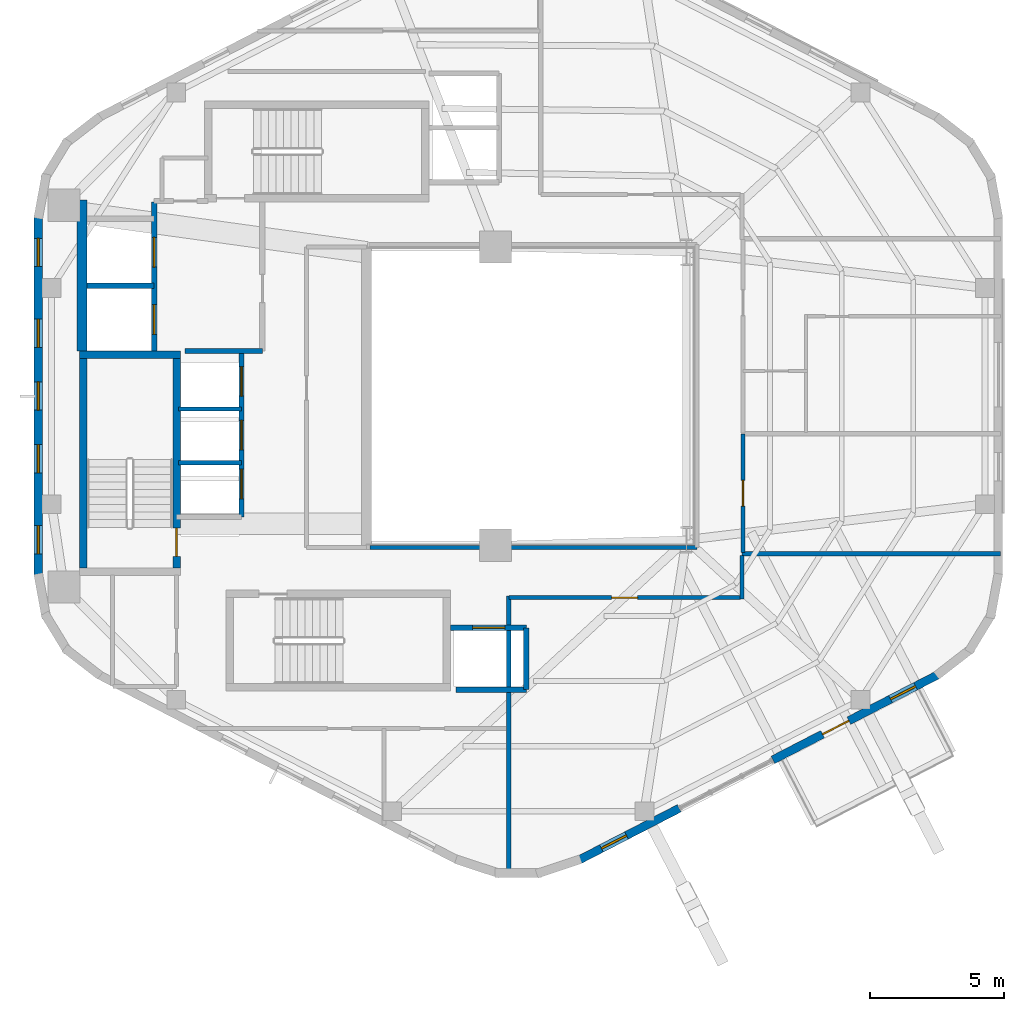
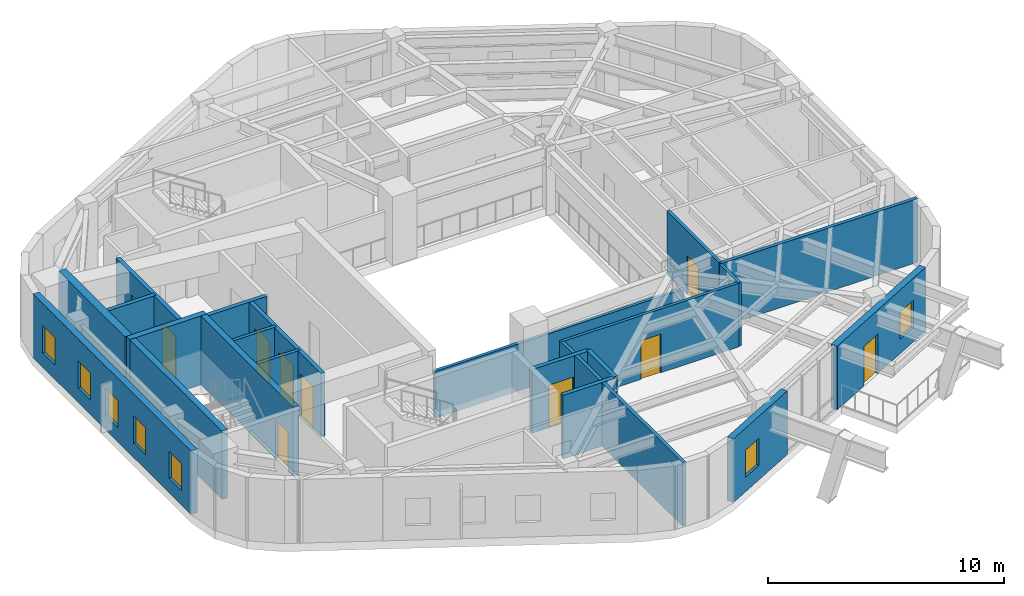
# One storey, part 5 of 9: 22 walls, 10 doors, 7 windows, 17 openings.
"""IFC4 building model written with IfcOpenShell, lengths in metres."""

from ifc_helpers import new_model, si_unit, direction, frame, frame_2d, origin, place, context, subcontext, project, spatial, rectangle, extrude, material, layer, layer_set, type_object, element, fill, save


model = new_model("IFC4")

# Units and contexts
model_context = context("Model", 3, precision=1e-05, world=origin(), true_north=direction((0.0, 1.0)))
body_context = subcontext(model_context, "Body", "Model", "MODEL_VIEW")
ifc_project = project(units=[si_unit("LENGTHUNIT", "METRE"), si_unit("AREAUNIT", "SQUARE_METRE"), si_unit("VOLUMEUNIT", "CUBIC_METRE"), si_unit("PLANEANGLEUNIT", "RADIAN"), si_unit("MASSUNIT", "GRAM", prefix="KILO"), si_unit("THERMODYNAMICTEMPERATUREUNIT", "KELVIN"), si_unit("POWERUNIT", "WATT")], contexts=[model_context])

# Site, building, storey
site_placement = place(None, origin())
site = spatial("IfcSite", under=ifc_project, at=site_placement, CompositionType="ELEMENT")
building_placement = place(site_placement, origin())
building = spatial("IfcBuilding", under=site, at=building_placement, Name="Skarre Station Tower", CompositionType="ELEMENT")
storey_placement = place(building_placement, frame((0.0, 0.0, 220.60009765625)))
storey = spatial("IfcBuildingStorey", under=building, at=storey_placement, Name="L60", CompositionType="ELEMENT", Elevation=220.60009765625)

# Wall
ifc_material_1 = material(Name="Acoustic Steel-Stud Gypsum Partition", Category="steel")
ifc_layer_1 = layer(ifc_material_1, 0.14990234375, Name="Acoustic Steel-Stud Gypsum Partition")
ifc_layer_set_1 = layer_set([ifc_layer_1], Name="Acoustic Steel-Stud Gypsum Partition")
wall_type_1 = type_object("IfcWallType", Name="Fire-Rated Corridor Acoustic Partition 150", PredefinedType="PARTITIONING", material=ifc_layer_set_1)
wall_1_placement = place(storey_placement, frame((27.675048828125, 18.360107421875, 0.0), z_axis=(0.0, 0.0, 1.0), x_axis=(1.0, 0.0, 0.0)))
element("IfcWall", 1, at=wall_1_placement, inside=storey, type_object=wall_type_1, Name="L60 Interior Partition WL-PT-L60-ATRW-S", PredefinedType="PARTITIONING", context=body_context, shape_type="SweptSolid", body=[
    extrude(rectangle(XDim=12.1650390625, YDim=0.14990234375, at=frame_2d((6.08251953125, 0.0))), origin(), (0.0, 0.0, 1.0), 2.430908203125),
])

# Wall, opening, door
wall_2_placement = place(storey_placement, frame((41.56005859375, 18.179931640625, 0.0), z_axis=(0.0, 0.0, 1.0), x_axis=(0.0, 1.0, 0.0)))
wall_2 = element("IfcWall", 2, at=wall_2_placement, inside=storey, type_object=wall_type_1, Name="L60 Interior Partition WL-PT-L60-EW1-CW", PredefinedType="PARTITIONING", context=body_context, shape_type="SweptSolid", body=[
    extrude(rectangle(XDim=4.405029296875, YDim=0.14990234375, at=frame_2d((2.20263671875, 0.0))), origin(), (0.0, 0.0, 1.0), 3.289794921875),
])
opening_1_placement = place(wall_2_placement, frame((1.722900390625, 0.0, 0.0)))
opening_1 = element("IfcOpeningElement", 3, at=opening_1_placement, cuts=wall_2, Name="Opening DR-FD60", PredefinedType="OPENING", context=body_context, shape_type="SweptSolid", body=[
    extrude(rectangle(XDim=0.9599609375, YDim=2.0, at=frame_2d((0.47998046875, 1.0))), frame((0.0, 0.0849609375, 0.0), z_axis=(0.0, -1.0, 0.0), x_axis=(1.0, 0.0, 0.0)), (0.0, 0.0, 1.0), 0.169921875),
])
ifc_material_2 = material(Name="Nordic White-Oak Veneer Solid-Core Fire Leaf", Category="wood")
door_type_1 = type_object("IfcDoorType", Name="Corridor Suite Entry Fire Door FD60 960x2150", OperationType="SINGLE_SWING_LEFT", PredefinedType="DOOR", material=ifc_material_2)
door_1_placement = place(opening_1_placement, origin())
door_1 = element("IfcDoor", 4, at=door_1_placement, inside=storey, type_object=door_type_1, Name="L60 EW1 Entry Door", OperationType="SINGLE_SWING_LEFT", OverallHeight=2.0, OverallWidth=0.9599609375, PredefinedType="DOOR", context=body_context, shape_type="SweptSolid", body=[
    extrude(rectangle(XDim=0.9599609375, YDim=2.0, at=frame_2d((0.47998046875, 1.0))), frame((0.0, 0.02490234375, 0.0), z_axis=(0.0, -1.0, 0.0), x_axis=(1.0, 0.0, 0.0)), (0.0, 0.0, 1.0), 0.050048828125),
])
fill(opening_1, door_1)

# Wall
wall_3_placement = place(storey_placement, frame((41.52001953125, 16.4599609375, 0.0), z_axis=(0.0, 0.0, 1.0), x_axis=(0.0, 1.0, 0.0)))
element("IfcWall", 5, at=wall_3_placement, inside=storey, type_object=wall_type_1, Name="L60 Interior Partition WL-PT-L60-CORR-SER", PredefinedType="PARTITIONING", context=body_context, shape_type="SweptSolid", body=[
    extrude(rectangle(XDim=1.60205078125, YDim=0.14990234375, at=frame_2d((0.801025390625, 0.0))), origin(), (0.0, 0.0, 1.0), 3.289794921875),
])

# Wall, opening, door
wall_4_placement = place(storey_placement, frame((32.85009765625, 16.5, 0.0), z_axis=(0.0, 0.0, 1.0), x_axis=(1.0, 0.0, 0.0)))
wall_4 = element("IfcWall", 6, at=wall_4_placement, inside=storey, type_object=wall_type_1, Name="L60 Interior Partition WL-PT-L60-SW1-CW", PredefinedType="PARTITIONING", context=body_context, shape_type="SweptSolid", body=[
    extrude(rectangle(XDim=8.60986328125, YDim=0.14990234375, at=frame_2d((4.304931640625, 0.0))), origin(), (0.0, 0.0, 1.0), 3.289794921875),
])
opening_2_placement = place(wall_4_placement, frame((3.824951171875, 0.0, 0.0)))
opening_2 = element("IfcOpeningElement", 7, at=opening_2_placement, cuts=wall_4, Name="Opening DR-FD60", PredefinedType="OPENING", context=body_context, shape_type="SweptSolid", body=[
    extrude(rectangle(XDim=0.9599609375, YDim=2.0, at=frame_2d((0.47998046875, 1.0))), frame((0.0, 0.0849609375, 0.0), z_axis=(0.0, -1.0, 0.0), x_axis=(1.0, 0.0, 0.0)), (0.0, 0.0, 1.0), 0.169921875),
])
door_2_placement = place(opening_2_placement, origin())
door_2 = element("IfcDoor", 8, at=door_2_placement, inside=storey, type_object=door_type_1, Name="L60 SW1 Entry Door", OperationType="SINGLE_SWING_LEFT", OverallHeight=2.0, OverallWidth=0.9599609375, PredefinedType="DOOR", context=body_context, shape_type="SweptSolid", body=[
    extrude(rectangle(XDim=0.9599609375, YDim=2.0, at=frame_2d((0.47998046875, 1.0))), frame((0.0, 0.02490234375, 0.0), z_axis=(0.0, -1.0, 0.0), x_axis=(1.0, 0.0, 0.0)), (0.0, 0.0, 1.0), 0.050048828125),
])
fill(opening_2, door_2)

# Wall, openings, windows
ifc_material_3 = material(Name="Precast concrete C45/55", Category="concrete")
ifc_layer_2 = layer(ifc_material_3, 0.31005859375, Name="Precast concrete C45/55")
ifc_layer_set_2 = layer_set([ifc_layer_2], Name="Precast concrete C45/55")
wall_type_2 = type_object("IfcWallType", Name="Nordic Upper-Zone Precast Facet Wall 310", PredefinedType="STANDARD", material=ifc_layer_set_2)
wall_5_placement = place(storey_placement, frame((15.342041015625, 17.298095703125, 0.0), z_axis=(0.0, 0.0, 1.0), x_axis=(0.0, 1.0, 0.0)))
wall_5 = element("IfcWall", 9, at=wall_5_placement, inside=storey, type_object=wall_type_2, Name="L60 Facet 2 Nordic Precast Masonry Wall", PredefinedType="STANDARD", context=body_context, shape_type="SweptSolid", body=[
    extrude(rectangle(XDim=13.40380859375, YDim=0.31005859375, at=frame_2d((6.701904296875, 0.0))), origin(), (0.0, 0.0, 1.0), 3.289794921875),
])
opening_3_placement = place(wall_5_placement, frame((0.8310546875, 0.0, 0.75)))
opening_3 = element("IfcOpeningElement", 10, at=opening_3_placement, cuts=wall_5, Name="Opening WN-SLT", PredefinedType="OPENING", context=body_context, shape_type="SweptSolid", body=[
    extrude(rectangle(XDim=1.050048828125, YDim=1.39990234375, at=frame_2d((0.52490234375, 0.699951171875))), frame((0.0, 0.1650390625, 0.0), z_axis=(0.0, -1.0, 0.0), x_axis=(1.0, 0.0, 0.0)), (0.0, 0.0, 1.0), 0.330078125),
])
opening_4_placement = place(wall_5_placement, frame((3.843017578125, 0.0, 0.75)))
opening_4 = element("IfcOpeningElement", 11, at=opening_4_placement, cuts=wall_5, Name="Opening WN-SLT", PredefinedType="OPENING", context=body_context, shape_type="SweptSolid", body=[
    extrude(rectangle(XDim=1.050048828125, YDim=1.39990234375, at=frame_2d((0.52490234375, 0.699951171875))), frame((0.0, 0.1650390625, 0.0), z_axis=(0.0, -1.0, 0.0), x_axis=(1.0, 0.0, 0.0)), (0.0, 0.0, 1.0), 0.330078125),
])
opening_5_placement = place(wall_5_placement, frame((6.177001953125, 0.0, 0.75)))
opening_5 = element("IfcOpeningElement", 12, at=opening_5_placement, cuts=wall_5, Name="Opening WN-SLT", PredefinedType="OPENING", context=body_context, shape_type="SweptSolid", body=[
    extrude(rectangle(XDim=1.050048828125, YDim=1.39990234375, at=frame_2d((0.52490234375, 0.699951171875))), frame((0.0, 0.1650390625, 0.0), z_axis=(0.0, -1.0, 0.0), x_axis=(1.0, 0.0, 0.0)), (0.0, 0.0, 1.0), 0.330078125),
])
opening_6_placement = place(wall_5_placement, frame((8.510986328125, 0.0, 0.75)))
opening_6 = element("IfcOpeningElement", 13, at=opening_6_placement, cuts=wall_5, Name="Opening WN-SLT", PredefinedType="OPENING", context=body_context, shape_type="SweptSolid", body=[
    extrude(rectangle(XDim=1.050048828125, YDim=1.39990234375, at=frame_2d((0.52490234375, 0.699951171875))), frame((0.0, 0.1650390625, 0.0), z_axis=(0.0, -1.0, 0.0), x_axis=(1.0, 0.0, 0.0)), (0.0, 0.0, 1.0), 0.330078125),
])
opening_7_placement = place(wall_5_placement, frame((11.52392578125, 0.0, 0.75)))
opening_7 = element("IfcOpeningElement", 14, at=opening_7_placement, cuts=wall_5, Name="Opening WN-SLT", PredefinedType="OPENING", context=body_context, shape_type="SweptSolid", body=[
    extrude(rectangle(XDim=1.050048828125, YDim=1.39990234375, at=frame_2d((0.52490234375, 0.699951171875))), frame((0.0, 0.1650390625, 0.0), z_axis=(0.0, -1.0, 0.0), x_axis=(1.0, 0.0, 0.0)), (0.0, 0.0, 1.0), 0.330078125),
])
ifc_material_4 = material(Name="Low-Iron Triple Glazing with Bronze Anodized Frame", Category="glass")
window_type = type_object("IfcWindowType", Name="Nordic Corner Slot Window 1050x1400", PartitioningType="SINGLE_PANEL", PredefinedType="WINDOW", material=ifc_material_4)
window_1_placement = place(opening_3_placement, origin())
window_1 = element("IfcWindow", 15, at=window_1_placement, inside=storey, type_object=window_type, Name="L60 Facade Window WL-FAC-L60-F2-1", OverallHeight=1.39990234375, OverallWidth=1.050048828125, PartitioningType="SINGLE_PANEL", PredefinedType="WINDOW", context=body_context, shape_type="SweptSolid", body=[
    extrude(rectangle(XDim=1.050048828125, YDim=1.39990234375, at=frame_2d((0.52490234375, 0.699951171875))), frame((0.0, 0.030029296875, 0.0), z_axis=(0.0, -1.0, 0.0), x_axis=(1.0, 0.0, 0.0)), (0.0, 0.0, 1.0), 0.06005859375),
])
fill(opening_3, window_1)
window_2_placement = place(opening_4_placement, origin())
window_2 = element("IfcWindow", 16, at=window_2_placement, inside=storey, type_object=window_type, Name="L60 Facade Window WL-FAC-L60-F2-2", OverallHeight=1.39990234375, OverallWidth=1.050048828125, PartitioningType="SINGLE_PANEL", PredefinedType="WINDOW", context=body_context, shape_type="SweptSolid", body=[
    extrude(rectangle(XDim=1.050048828125, YDim=1.39990234375, at=frame_2d((0.52490234375, 0.699951171875))), frame((0.0, 0.030029296875, 0.0), z_axis=(0.0, -1.0, 0.0), x_axis=(1.0, 0.0, 0.0)), (0.0, 0.0, 1.0), 0.06005859375),
])
fill(opening_4, window_2)
window_3_placement = place(opening_5_placement, origin())
window_3 = element("IfcWindow", 17, at=window_3_placement, inside=storey, type_object=window_type, Name="L60 Facade Window WL-FAC-L60-F2-3", OverallHeight=1.39990234375, OverallWidth=1.050048828125, PartitioningType="SINGLE_PANEL", PredefinedType="WINDOW", context=body_context, shape_type="SweptSolid", body=[
    extrude(rectangle(XDim=1.050048828125, YDim=1.39990234375, at=frame_2d((0.52490234375, 0.699951171875))), frame((0.0, 0.030029296875, 0.0), z_axis=(0.0, -1.0, 0.0), x_axis=(1.0, 0.0, 0.0)), (0.0, 0.0, 1.0), 0.06005859375),
])
fill(opening_5, window_3)
window_4_placement = place(opening_6_placement, origin())
window_4 = element("IfcWindow", 18, at=window_4_placement, inside=storey, type_object=window_type, Name="L60 Facade Window WL-FAC-L60-F2-4", OverallHeight=1.39990234375, OverallWidth=1.050048828125, PartitioningType="SINGLE_PANEL", PredefinedType="WINDOW", context=body_context, shape_type="SweptSolid", body=[
    extrude(rectangle(XDim=1.050048828125, YDim=1.39990234375, at=frame_2d((0.52490234375, 0.699951171875))), frame((0.0, 0.030029296875, 0.0), z_axis=(0.0, -1.0, 0.0), x_axis=(1.0, 0.0, 0.0)), (0.0, 0.0, 1.0), 0.06005859375),
])
fill(opening_6, window_4)
window_5_placement = place(opening_7_placement, origin())
window_5 = element("IfcWindow", 19, at=window_5_placement, inside=storey, type_object=window_type, Name="L60 Facade Window WL-FAC-L60-F2-5", OverallHeight=1.39990234375, OverallWidth=1.050048828125, PartitioningType="SINGLE_PANEL", PredefinedType="WINDOW", context=body_context, shape_type="SweptSolid", body=[
    extrude(rectangle(XDim=1.050048828125, YDim=1.39990234375, at=frame_2d((0.52490234375, 0.699951171875))), frame((0.0, 0.030029296875, 0.0), z_axis=(0.0, -1.0, 0.0), x_axis=(1.0, 0.0, 0.0)), (0.0, 0.0, 1.0), 0.06005859375),
])
fill(opening_7, window_5)

# Wall, openings, window, door
wall_6_placement = place(storey_placement, frame((48.833984375, 13.64599609375, 0.0), z_axis=(0.0, 0.0, 1.0), x_axis=(-0.888622971019, -0.458638436437, 0.0)))
wall_6 = element("IfcWall", 20, at=wall_6_placement, inside=storey, type_object=wall_type_2, Name="L60 Facet 4 Pier A", PredefinedType="STANDARD", context=body_context, shape_type="SweptSolid", body=[
    extrude(rectangle(XDim=6.935546875, YDim=0.31005859375, at=frame_2d((3.4677734375, 0.0))), origin(), (0.0, 0.0, 1.0), 3.289794921875),
])
opening_8_placement = place(wall_6_placement, frame((3.756103515625, 0.0, 0.0)))
opening_8 = element("IfcOpeningElement", 21, at=opening_8_placement, cuts=wall_6, Name="Opening DR-BAL110", PredefinedType="OPENING", context=body_context, shape_type="SweptSolid", body=[
    extrude(rectangle(XDim=1.10009765625, YDim=2.0400390625, at=frame_2d((0.550048828125, 1.02001953125))), frame((0.0, 0.1650390625, 0.0), z_axis=(0.0, -1.0, 0.0), x_axis=(1.0, 0.0, 0.0)), (0.0, 0.0, 1.0), 0.330078125),
])
opening_9_placement = place(wall_6_placement, frame((0.9619140625, 0.0, 0.75)))
opening_9 = element("IfcOpeningElement", 22, at=opening_9_placement, cuts=wall_6, Name="Opening WN-SLT", PredefinedType="OPENING", context=body_context, shape_type="SweptSolid", body=[
    extrude(rectangle(XDim=1.050048828125, YDim=1.39990234375, at=frame_2d((0.52490234375, 0.699951171875))), frame((0.0, 0.1650390625, 0.0), z_axis=(0.0, -1.0, 0.0), x_axis=(1.0, 0.0, 0.0)), (0.0, 0.0, 1.0), 0.330078125),
])
window_6_placement = place(opening_9_placement, origin())
window_6 = element("IfcWindow", 23, at=window_6_placement, inside=storey, type_object=window_type, Name="L60 Facade Window WL-FAC-L60-F4A-1", OverallHeight=1.39990234375, OverallWidth=1.050048828125, PartitioningType="SINGLE_PANEL", PredefinedType="WINDOW", context=body_context, shape_type="SweptSolid", body=[
    extrude(rectangle(XDim=1.050048828125, YDim=1.39990234375, at=frame_2d((0.52490234375, 0.699951171875))), frame((0.0, 0.030029296875, 0.0), z_axis=(0.0, -1.0, 0.0), x_axis=(1.0, 0.0, 0.0)), (0.0, 0.0, 1.0), 0.06005859375),
])
fill(opening_9, window_6)
ifc_material_5 = material(Name="Thermally Broken Aluminium & Triple Glazing", Category="aluminium")
door_type_2 = type_object("IfcDoorType", Name="Terrace & Tree-Balcony Glazed Door 1100x2200", OperationType="SINGLE_SWING_LEFT", PredefinedType="DOOR", material=ifc_material_5)
door_3_placement = place(opening_8_placement, origin())
door_3 = element("IfcDoor", 24, at=door_3_placement, inside=storey, type_object=door_type_2, Name="L60 SG-3 Conservatory Terrace Door", OperationType="SINGLE_SWING_LEFT", OverallHeight=2.0400390625, OverallWidth=1.10009765625, PredefinedType="DOOR", context=body_context, shape_type="SweptSolid", body=[
    extrude(rectangle(XDim=1.10009765625, YDim=2.0400390625, at=frame_2d((0.550048828125, 1.02001953125))), frame((0.0, 0.02490234375, 0.0), z_axis=(0.0, -1.0, 0.0), x_axis=(1.0, 0.0, 0.0)), (0.0, 0.0, 1.0), 0.050048828125),
])
fill(opening_8, door_3)

# Wall, opening, window
wall_7_placement = place(storey_placement, frame((39.18798828125, 8.666015625, 0.0), z_axis=(0.0, 0.0, 1.0), x_axis=(-0.888616094641, -0.45865175934, 0.0)))
wall_7 = element("IfcWall", 25, at=wall_7_placement, inside=storey, type_object=wall_type_2, Name="L60 Facet 4 Pier B", PredefinedType="STANDARD", context=body_context, shape_type="SweptSolid", body=[
    extrude(rectangle(XDim=4.22119140625, YDim=0.31005859375, at=frame_2d((2.110595703125, 0.0))), origin(), (0.0, 0.0, 1.0), 3.289794921875),
])
opening_10_placement = place(wall_7_placement, frame((2.2099609375, 0.0, 0.75)))
opening_10 = element("IfcOpeningElement", 26, at=opening_10_placement, cuts=wall_7, Name="Opening WN-SLT", PredefinedType="OPENING", context=body_context, shape_type="SweptSolid", body=[
    extrude(rectangle(XDim=1.050048828125, YDim=1.39990234375, at=frame_2d((0.52490234375, 0.699951171875))), frame((0.0, 0.1650390625, 0.0), z_axis=(0.0, -1.0, 0.0), x_axis=(1.0, 0.0, 0.0)), (0.0, 0.0, 1.0), 0.330078125),
])
window_7_placement = place(opening_10_placement, origin())
window_7 = element("IfcWindow", 27, at=window_7_placement, inside=storey, type_object=window_type, Name="L60 Facade Window WL-FAC-L60-F4B-1", OverallHeight=1.39990234375, OverallWidth=1.050048828125, PartitioningType="SINGLE_PANEL", PredefinedType="WINDOW", context=body_context, shape_type="SweptSolid", body=[
    extrude(rectangle(XDim=1.050048828125, YDim=1.39990234375, at=frame_2d((0.52490234375, 0.699951171875))), frame((0.0, 0.030029296875, 0.0), z_axis=(0.0, -1.0, 0.0), x_axis=(1.0, 0.0, 0.0)), (0.0, 0.0, 1.0), 0.06005859375),
])
fill(opening_10, window_7)

# Walls
ifc_material_6 = material(Name="Concrete C50/60", Category="concrete")
ifc_layer_3 = layer(ifc_material_6, 0.280029296875, Name="Concrete C50/60")
ifc_layer_set_3 = layer_set([ifc_layer_3], Name="Concrete C50/60")
wall_type_3 = type_object("IfcWallType", Name="RC Core Shear Wall 280", PredefinedType="SHEAR", material=ifc_layer_set_3)
wall_8_placement = place(storey_placement, frame((20.6298828125, 25.5400390625, 0.0), z_axis=(0.0, 0.0, 1.0), x_axis=(-1.0, 0.0, 0.0)))
element("IfcWall", 28, at=wall_8_placement, inside=storey, type_object=wall_type_3, Name="L60 Stair ST-1 North Shear Wall", PredefinedType="SHEAR", context=body_context, shape_type="SweptSolid", body=[
    extrude(rectangle(XDim=3.759765625, YDim=0.280029296875, at=frame_2d((1.8798828125, 0.0))), origin(), (0.0, 0.0, 1.0), 3.5498046875),
])
wall_9_placement = place(storey_placement, frame((17.010009765625, 25.39990234375, 0.0), z_axis=(0.0, 0.0, 1.0), x_axis=(0.0, -1.0, 0.0)))
element("IfcWall", 29, at=wall_9_placement, inside=storey, type_object=wall_type_3, Name="L60 Stair ST-1 West Shear Wall", PredefinedType="SHEAR", context=body_context, shape_type="SweptSolid", body=[
    extrude(rectangle(XDim=7.7998046875, YDim=0.280029296875, at=frame_2d((3.89990234375, 0.0))), origin(), (0.0, 0.0, 1.0), 3.5498046875),
])

# Wall, opening, door
wall_10_placement = place(storey_placement, frame((20.489990234375, 17.60009765625, 0.0), z_axis=(0.0, 0.0, 1.0), x_axis=(0.0, 1.0, 0.0)))
wall_10 = element("IfcWall", 30, at=wall_10_placement, inside=storey, type_object=wall_type_3, Name="L60 Stair ST-1 East Shear Wall", PredefinedType="SHEAR", context=body_context, shape_type="SweptSolid", body=[
    extrude(rectangle(XDim=7.7998046875, YDim=0.280029296875, at=frame_2d((3.89990234375, 0.0))), origin(), (0.0, 0.0, 1.0), 3.5498046875),
])
opening_11_placement = place(wall_10_placement, frame((0.43994140625, 0.0, 0.0)))
opening_11 = element("IfcOpeningElement", 31, at=opening_11_placement, cuts=wall_10, Name="Opening DR-FD90", PredefinedType="OPENING", context=body_context, shape_type="SweptSolid", body=[
    extrude(rectangle(XDim=1.050048828125, YDim=2.0, at=frame_2d((0.52490234375, 1.0))), frame((0.0, 0.14990234375, 0.0), z_axis=(0.0, -1.0, 0.0), x_axis=(1.0, 0.0, 0.0)), (0.0, 0.0, 1.0), 0.300048828125),
])
ifc_material_7 = material(Name="Fire-Rated Insulated Steel Frame & Timber Core Leaf", Category="steel")
door_type_3 = type_object("IfcDoorType", Name="Stair & FSAE Lobby Fire Door FD90 1050x2150", OperationType="SINGLE_SWING_RIGHT", PredefinedType="DOOR", material=ifc_material_7)
door_4_placement = place(opening_11_placement, origin())
door_4 = element("IfcDoor", 32, at=door_4_placement, inside=storey, type_object=door_type_3, Name="L60 Stair ST-1 Exit Door", OperationType="SINGLE_SWING_RIGHT", OverallHeight=2.0, OverallWidth=1.050048828125, PredefinedType="DOOR", context=body_context, shape_type="SweptSolid", body=[
    extrude(rectangle(XDim=1.050048828125, YDim=2.0, at=frame_2d((0.52490234375, 1.0))), frame((0.0, 0.02490234375, 0.0), z_axis=(0.0, -1.0, 0.0), x_axis=(1.0, 0.0, 0.0)), (0.0, 0.0, 1.0), 0.050048828125),
])
fill(opening_11, door_4)

# Wall
ifc_layer_4 = layer(ifc_material_6, 0.360107421875, Name="Concrete C50/60")
ifc_layer_set_4 = layer_set([ifc_layer_4], Name="Concrete C50/60")
wall_type_4 = type_object("IfcWallType", Name="RC Core Shear Wall 360", PredefinedType="SHEAR", material=ifc_layer_set_4)
wall_11_placement = place(storey_placement, frame((16.969970703125, 25.679931640625, 0.0), z_axis=(0.0, 0.0, 1.0), x_axis=(0.0, 1.0, 0.0)))
element("IfcWall", 33, at=wall_11_placement, inside=storey, type_object=wall_type_4, Name="L60 Core West-North Shear Wall", PredefinedType="SHEAR", context=body_context, shape_type="SweptSolid", body=[
    extrude(rectangle(XDim=5.6201171875, YDim=0.360107421875, at=frame_2d((2.81005859375, 0.0))), origin(), (0.0, 0.0, 1.0), 3.5498046875),
])

# Wall, openings, doors
ifc_material_8 = material(Name="Gypsum Concrete Shaft Assembly C30/37", Category="concrete")
ifc_layer_5 = layer(ifc_material_8, 0.199951171875, Name="Gypsum Concrete Shaft Assembly C30/37")
ifc_layer_set_5 = layer_set([ifc_layer_5], Name="Gypsum Concrete Shaft Assembly C30/37")
wall_type_5 = type_object("IfcWallType", Name="Shaft & Core Fire Partition 200", PredefinedType="PARTITIONING", material=ifc_layer_set_5)
wall_12_placement = place(storey_placement, frame((19.64990234375, 25.679931640625, 0.0), z_axis=(0.0, 0.0, 1.0), x_axis=(0.0, 1.0, 0.0)))
wall_12 = element("IfcWall", 34, at=wall_12_placement, inside=storey, type_object=wall_type_5, Name="L60 Interior Partition WL-PT-L60-FSAE-W", PredefinedType="PARTITIONING", context=body_context, shape_type="SweptSolid", body=[
    extrude(rectangle(XDim=5.5400390625, YDim=0.199951171875, at=frame_2d((2.77001953125, 0.0))), origin(), (0.0, 0.0, 1.0), 3.289794921875),
])
opening_12_placement = place(wall_12_placement, frame((0.6201171875, 0.0, 0.0)))
opening_12 = element("IfcOpeningElement", 35, at=opening_12_placement, cuts=wall_12, Name="Opening LD-FF1", PredefinedType="OPENING", context=body_context, shape_type="SweptSolid", body=[
    extrude(rectangle(XDim=1.10009765625, YDim=2.199951171875, at=frame_2d((0.550048828125, 1.10009765625))), frame((0.0, 0.10986328125, 0.0), z_axis=(0.0, -1.0, 0.0), x_axis=(1.0, 0.0, 0.0)), (0.0, 0.0, 1.0), 0.219970703125),
])
opening_13_placement = place(wall_12_placement, frame((3.1201171875, 0.0, 0.0)))
opening_13 = element("IfcOpeningElement", 36, at=opening_13_placement, cuts=wall_12, Name="Opening LD-FF2", PredefinedType="OPENING", context=body_context, shape_type="SweptSolid", body=[
    extrude(rectangle(XDim=1.10009765625, YDim=2.199951171875, at=frame_2d((0.550048828125, 1.10009765625))), frame((0.0, 0.10986328125, 0.0), z_axis=(0.0, -1.0, 0.0), x_axis=(1.0, 0.0, 0.0)), (0.0, 0.0, 1.0), 0.219970703125),
])
ifc_material_9 = material(Name="Fire-Rated Stainless Steel Grade 316L Sliding Leaves", Category="steel")
door_type_4 = type_object("IfcDoorType", Name="Fire Service Access Elevator Sliding Landing Door 1100x2200", OperationType="SLIDING_TO_LEFT", PredefinedType="DOOR", material=ifc_material_9)
door_5_placement = place(opening_12_placement, origin())
door_5 = element("IfcDoor", 37, at=door_5_placement, inside=storey, type_object=door_type_4, Name="L60 Firefighting Lift LF-FF1 Landing Door", OperationType="SLIDING_TO_LEFT", OverallHeight=2.199951171875, OverallWidth=1.10009765625, PredefinedType="DOOR", context=body_context, shape_type="SweptSolid", body=[
    extrude(rectangle(XDim=1.10009765625, YDim=2.199951171875, at=frame_2d((0.550048828125, 1.10009765625))), frame((0.0, 0.02490234375, 0.0), z_axis=(0.0, -1.0, 0.0), x_axis=(1.0, 0.0, 0.0)), (0.0, 0.0, 1.0), 0.050048828125),
])
fill(opening_12, door_5)
door_6_placement = place(opening_13_placement, origin())
door_6 = element("IfcDoor", 38, at=door_6_placement, inside=storey, type_object=door_type_4, Name="L60 Firefighting Lift LF-FF2 Landing Door", OperationType="SLIDING_TO_LEFT", OverallHeight=2.199951171875, OverallWidth=1.10009765625, PredefinedType="DOOR", context=body_context, shape_type="SweptSolid", body=[
    extrude(rectangle(XDim=1.10009765625, YDim=2.199951171875, at=frame_2d((0.550048828125, 1.10009765625))), frame((0.0, 0.02490234375, 0.0), z_axis=(0.0, -1.0, 0.0), x_axis=(1.0, 0.0, 0.0)), (0.0, 0.0, 1.0), 0.050048828125),
])
fill(opening_13, door_6)

# Walls
wall_13_placement = place(storey_placement, frame((20.79296875, 25.679931640625, 0.0), z_axis=(0.0, 0.0, 1.0), x_axis=(1.0, 0.0, 0.0)))
element("IfcWall", 39, at=wall_13_placement, inside=storey, type_object=wall_type_5, Name="L60 Interior Partition WL-PT-L60-FSAE-S", PredefinedType="PARTITIONING", context=body_context, shape_type="SweptSolid", body=[
    extrude(rectangle(XDim=2.886962890625, YDim=0.199951171875, at=frame_2d((1.443359375, 0.0))), origin(), (0.0, 0.0, 1.0), 3.289794921875),
])
wall_14_placement = place(storey_placement, frame((17.14990234375, 28.10009765625, 0.0), z_axis=(0.0, 0.0, 1.0), x_axis=(1.0, 0.0, 0.0)))
element("IfcWall", 40, at=wall_14_placement, inside=storey, type_object=wall_type_5, Name="L60 Interior Partition WL-PT-L60-FF-DIV", PredefinedType="PARTITIONING", context=body_context, shape_type="SweptSolid", body=[
    extrude(rectangle(XDim=2.5, YDim=0.199951171875, at=frame_2d((1.25, 0.0))), origin(), (0.0, 0.0, 1.0), 3.289794921875),
])

# Wall, opening, door
wall_15_placement = place(storey_placement, frame((33.5, 15.3798828125, 0.0), z_axis=(0.0, 0.0, 1.0), x_axis=(-1.0, 0.0, 0.0)))
wall_15 = element("IfcWall", 41, at=wall_15_placement, inside=storey, type_object=wall_type_5, Name="L60 Interior Partition WL-PT-L60-SV1-N", PredefinedType="PARTITIONING", context=body_context, shape_type="SweptSolid", body=[
    extrude(rectangle(XDim=2.820068359375, YDim=0.199951171875, at=frame_2d((1.41015625, 0.0))), origin(), (0.0, 0.0, 1.0), 3.289794921875),
])
opening_14_placement = place(wall_15_placement, frame((0.800048828125, 0.0, 0.0)))
opening_14 = element("IfcOpeningElement", 42, at=opening_14_placement, cuts=wall_15, Name="Opening LD-SV1", PredefinedType="OPENING", context=body_context, shape_type="SweptSolid", body=[
    extrude(rectangle(XDim=1.199951171875, YDim=2.199951171875, at=frame_2d((0.60009765625, 1.10009765625))), frame((0.0, 0.10986328125, 0.0), z_axis=(0.0, -1.0, 0.0), x_axis=(1.0, 0.0, 0.0)), (0.0, 0.0, 1.0), 0.219970703125),
])
ifc_material_10 = material(Name="Heavy-Gauge Brushed Stainless Steel Sliding Leaves", Category="steel")
door_type_5 = type_object("IfcDoorType", Name="Service Elevator Wide Sliding Landing Door 1200x2200", OperationType="SLIDING_TO_RIGHT", PredefinedType="DOOR", material=ifc_material_10)
door_7_placement = place(opening_14_placement, origin())
door_7 = element("IfcDoor", 43, at=door_7_placement, inside=storey, type_object=door_type_5, Name="L60 Service Lift LF-SV1 Landing Door", OperationType="SLIDING_TO_RIGHT", OverallHeight=2.199951171875, OverallWidth=1.199951171875, PredefinedType="DOOR", context=body_context, shape_type="SweptSolid", body=[
    extrude(rectangle(XDim=1.199951171875, YDim=2.199951171875, at=frame_2d((0.60009765625, 1.10009765625))), frame((0.0, 0.02490234375, 0.0), z_axis=(0.0, -1.0, 0.0), x_axis=(1.0, 0.0, 0.0)), (0.0, 0.0, 1.0), 0.050048828125),
])
fill(opening_14, door_7)

# Walls
wall_16_placement = place(storey_placement, frame((33.5, 13.080078125, 0.0), z_axis=(0.0, 0.0, 1.0), x_axis=(0.0, 1.0, 0.0)))
element("IfcWall", 44, at=wall_16_placement, inside=storey, type_object=wall_type_5, Name="L60 Interior Partition WL-PT-L60-SV1-E", PredefinedType="PARTITIONING", context=body_context, shape_type="SweptSolid", body=[
    extrude(rectangle(XDim=2.2998046875, YDim=0.199951171875, at=frame_2d((1.14990234375, 0.0))), origin(), (0.0, 0.0, 1.0), 3.289794921875),
])
wall_17_placement = place(storey_placement, frame((30.87890625, 13.080078125, 0.0), z_axis=(0.0, 0.0, 1.0), x_axis=(1.0, 0.0, 0.0)))
element("IfcWall", 45, at=wall_17_placement, inside=storey, type_object=wall_type_5, Name="L60 Interior Partition WL-PT-L60-SV1-S", PredefinedType="PARTITIONING", context=body_context, shape_type="SweptSolid", body=[
    extrude(rectangle(XDim=2.62109375, YDim=0.199951171875, at=frame_2d((1.310546875, 0.0))), origin(), (0.0, 0.0, 1.0), 3.289794921875),
])

# Wall, openings, doors
wall_18_placement = place(storey_placement, frame((22.89990234375, 19.5, 0.0), z_axis=(0.0, 0.0, 1.0), x_axis=(0.0, 1.0, 0.0)))
wall_18 = element("IfcWall", 46, at=wall_18_placement, inside=storey, type_object=wall_type_5, Name="L60 Interior Partition WL-PT-L60-B3-E", PredefinedType="PARTITIONING", context=body_context, shape_type="SweptSolid", body=[
    extrude(rectangle(XDim=6.0849609375, YDim=0.199951171875, at=frame_2d((3.04248046875, 0.0))), origin(), (0.0, 0.0, 1.0), 3.289794921875),
])
opening_15_placement = place(wall_18_placement, frame((0.679931640625, 0.0, 0.0)))
opening_15 = element("IfcOpeningElement", 47, at=opening_15_placement, cuts=wall_18, Name="Opening LD-P7", PredefinedType="OPENING", context=body_context, shape_type="SweptSolid", body=[
    extrude(rectangle(XDim=1.10009765625, YDim=2.199951171875, at=frame_2d((0.550048828125, 1.10009765625))), frame((0.0, 0.10986328125, 0.0), z_axis=(0.0, -1.0, 0.0), x_axis=(1.0, 0.0, 0.0)), (0.0, 0.0, 1.0), 0.219970703125),
])
opening_16_placement = place(wall_18_placement, frame((2.5, 0.0, 0.0)))
opening_16 = element("IfcOpeningElement", 48, at=opening_16_placement, cuts=wall_18, Name="Opening LD-P8", PredefinedType="OPENING", context=body_context, shape_type="SweptSolid", body=[
    extrude(rectangle(XDim=1.10009765625, YDim=2.199951171875, at=frame_2d((0.550048828125, 1.10009765625))), frame((0.0, 0.10986328125, 0.0), z_axis=(0.0, -1.0, 0.0), x_axis=(1.0, 0.0, 0.0)), (0.0, 0.0, 1.0), 0.219970703125),
])
opening_17_placement = place(wall_18_placement, frame((4.5, 0.0, 0.0)))
opening_17 = element("IfcOpeningElement", 49, at=opening_17_placement, cuts=wall_18, Name="Opening LD-P9", PredefinedType="OPENING", context=body_context, shape_type="SweptSolid", body=[
    extrude(rectangle(XDim=1.10009765625, YDim=2.199951171875, at=frame_2d((0.550048828125, 1.10009765625))), frame((0.0, 0.10986328125, 0.0), z_axis=(0.0, -1.0, 0.0), x_axis=(1.0, 0.0, 0.0)), (0.0, 0.0, 1.0), 0.219970703125),
])
ifc_material_11 = material(Name="Brushed Bronze Stainless Steel Sliding Leaves", Category="steel")
door_type_6 = type_object("IfcDoorType", Name="Passenger Elevator Center-Parting Sliding Door 1100x2200", OperationType="SLIDING_TO_LEFT", PredefinedType="DOOR", material=ifc_material_11)
door_8_placement = place(opening_15_placement, origin())
door_8 = element("IfcDoor", 50, at=door_8_placement, inside=storey, type_object=door_type_6, Name="L60 Passenger Lift LF-P7 Landing Door", OperationType="SLIDING_TO_LEFT", OverallHeight=2.199951171875, OverallWidth=1.10009765625, PredefinedType="DOOR", context=body_context, shape_type="SweptSolid", body=[
    extrude(rectangle(XDim=1.10009765625, YDim=2.199951171875, at=frame_2d((0.550048828125, 1.10009765625))), frame((0.0, 0.02490234375, 0.0), z_axis=(0.0, -1.0, 0.0), x_axis=(1.0, 0.0, 0.0)), (0.0, 0.0, 1.0), 0.050048828125),
])
fill(opening_15, door_8)
door_9_placement = place(opening_16_placement, origin())
door_9 = element("IfcDoor", 51, at=door_9_placement, inside=storey, type_object=door_type_6, Name="L60 Passenger Lift LF-P8 Landing Door", OperationType="SLIDING_TO_LEFT", OverallHeight=2.199951171875, OverallWidth=1.10009765625, PredefinedType="DOOR", context=body_context, shape_type="SweptSolid", body=[
    extrude(rectangle(XDim=1.10009765625, YDim=2.199951171875, at=frame_2d((0.550048828125, 1.10009765625))), frame((0.0, 0.02490234375, 0.0), z_axis=(0.0, -1.0, 0.0), x_axis=(1.0, 0.0, 0.0)), (0.0, 0.0, 1.0), 0.050048828125),
])
fill(opening_16, door_9)
door_10_placement = place(opening_17_placement, origin())
door_10 = element("IfcDoor", 52, at=door_10_placement, inside=storey, type_object=door_type_6, Name="L60 Passenger Lift LF-P9 Landing Door", OperationType="SLIDING_TO_LEFT", OverallHeight=2.199951171875, OverallWidth=1.10009765625, PredefinedType="DOOR", context=body_context, shape_type="SweptSolid", body=[
    extrude(rectangle(XDim=1.10009765625, YDim=2.199951171875, at=frame_2d((0.550048828125, 1.10009765625))), frame((0.0, 0.02490234375, 0.0), z_axis=(0.0, -1.0, 0.0), x_axis=(1.0, 0.0, 0.0)), (0.0, 0.0, 1.0), 0.050048828125),
])
fill(opening_17, door_10)

# Walls
for number, where, z_axis, x_axis, name in (
    (53, (20.550048828125, 21.52001953125, 0.0), (0.0, 0.0, 1.0), (1.0, 0.0, 0.0), "L60 Interior Partition WL-PT-L60-B3-D1"),
    (54, (20.550048828125, 23.52001953125, 0.0), (0.0, 0.0, 1.0), (1.0, 0.0, 0.0), "L60 Interior Partition WL-PT-L60-B3-D2"),
):
    element("IfcWall", number, at=place(storey_placement, frame(where, z_axis=z_axis, x_axis=x_axis)), inside=storey, type_object=wall_type_5, Name=name, PredefinedType="PARTITIONING", context=body_context, shape_type="SweptSolid", body=[
        extrude(rectangle(XDim=2.349853515625, YDim=0.159912109375, at=frame_2d((1.1748046875, 0.0))), origin(), (0.0, 0.0, 1.0), 3.289794921875),
    ])
ifc_layer_6 = layer(ifc_material_1, 0.1650390625, Name="Acoustic Steel-Stud Gypsum Partition")
ifc_layer_set_6 = layer_set([ifc_layer_6], Name="Acoustic Steel-Stud Gypsum Partition")
wall_type_6 = type_object("IfcWallType", Name="Suite Demising Acoustic Partition 165", PredefinedType="PARTITIONING", material=ifc_layer_set_6)
wall_19_placement = place(storey_placement, frame((32.85009765625, 6.154052734375, 0.0), z_axis=(0.0, 0.0, 1.0), x_axis=(0.0, 1.0, 0.0)))
element("IfcWall", 55, at=wall_19_placement, inside=storey, type_object=wall_type_6, Name="L60 Interior Partition WL-PT-L60-SWP-E", PredefinedType="PARTITIONING", context=body_context, shape_type="SweptSolid", body=[
    extrude(rectangle(XDim=10.416015625, YDim=0.1650390625, at=frame_2d((5.2080078125, 0.0))), origin(), (0.0, 0.0, 1.0), 3.289794921875),
])
wall_20_placement = place(storey_placement, frame((41.52001953125, 18.139892578125, 0.0), z_axis=(0.0, 0.0, 1.0), x_axis=(1.0, 0.0, 0.0)))
element("IfcWall", 56, at=wall_20_placement, inside=storey, type_object=wall_type_6, Name="L60 Interior Partition WL-PT-L60-EWB-S", PredefinedType="PARTITIONING", context=body_context, shape_type="SweptSolid", body=[
    extrude(rectangle(XDim=9.623046875, YDim=0.1650390625, at=frame_2d((4.8115234375, 0.0))), origin(), (0.0, 0.0, 1.0), 3.289794921875),
])

save(model, "model.ifc")
